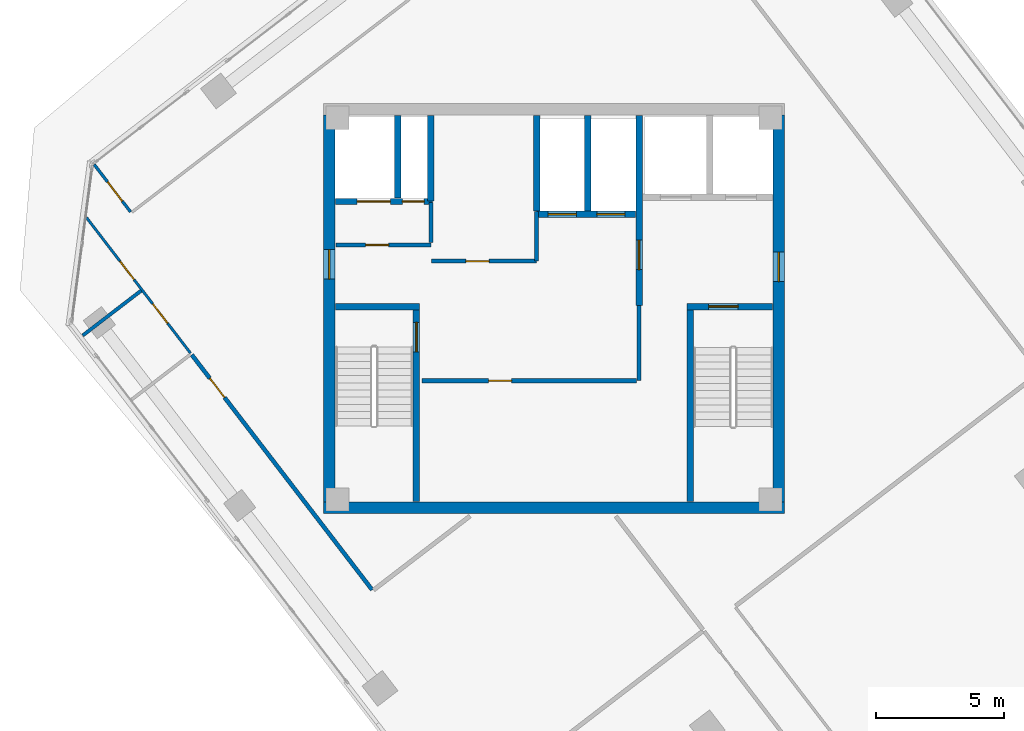
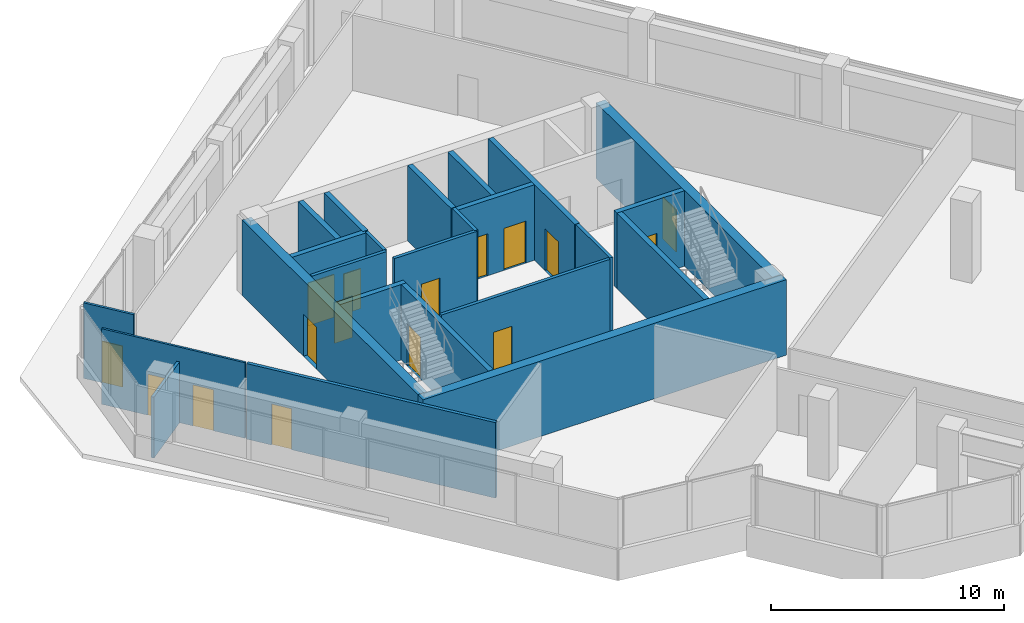
# One storey, part 13 of 17: 24 walls, 16 doors, 16 openings.
"""IFC4 building model written with IfcOpenShell, lengths in metres."""

from ifc_helpers import new_model, si_unit, direction, frame, frame_2d, origin, place, context, subcontext, project, spatial, rectangle, extrude, source, transform, mapped, material, layer, layer_set, type_object, element, fill, save


model = new_model("IFC4")

# Units and contexts
model_context = context("Model", 3, precision=1e-05, world=origin(), true_north=direction((0.0, 1.0)))
body_context = subcontext(model_context, "Body", "Model", "MODEL_VIEW")
ifc_project = project(units=[si_unit("LENGTHUNIT", "METRE"), si_unit("AREAUNIT", "SQUARE_METRE"), si_unit("VOLUMEUNIT", "CUBIC_METRE"), si_unit("PLANEANGLEUNIT", "RADIAN"), si_unit("MASSUNIT", "GRAM", prefix="KILO")], contexts=[model_context])

# Site, building, storey
site_placement = place(None, origin())
site = spatial("IfcSite", under=ifc_project, at=site_placement, CompositionType="ELEMENT")
building_placement = place(site_placement, origin())
building = spatial("IfcBuilding", under=site, at=building_placement, Name="Torre Montelarca", CompositionType="ELEMENT")
storey_placement = place(building_placement, frame((0.0, 0.0, 279.39990234375)))
storey = spatial("IfcBuildingStorey", under=building, at=storey_placement, Name="L63", CompositionType="ELEMENT", Elevation=279.39990234375)

# Wall, opening, door
ifc_material_1 = material(Name="Concrete C40/50", Category="concrete")
ifc_layer_1 = layer(ifc_material_1, 0.25, Name="Concrete C40/50", Category="concrete")
ifc_layer_set_1 = layer_set([ifc_layer_1], Name="Concrete C40/50")
wall_type_1 = type_object("IfcWallType", Name="CW-SHAFT-250", PredefinedType="SHEAR", material=ifc_layer_set_1)
wall_1_placement = place(storey_placement, frame((12.625, 24.4599609375, 0.0), z_axis=(0.0, 0.0, 1.0), x_axis=(0.0, 1.0, 0.0)))
wall_1 = element("IfcWall", 1, at=wall_1_placement, inside=storey, type_object=wall_type_1, Name="L63 Core Shear Wall SH-ST1-E", PredefinedType="SHEAR", context=body_context, shape_type="SweptSolid", body=[
    extrude(rectangle(XDim=7.489990234375, YDim=0.25, at=frame_2d((3.7451171875, 0.0))), origin(), (0.0, 0.0, 1.0), 3.960205078125),
])
opening_1_placement = place(wall_1_placement, frame((5.85009765625, 0.0, 0.0)))
opening_1 = element("IfcOpeningElement", 2, at=opening_1_placement, cuts=wall_1, Name="Opening FD-ST1", PredefinedType="OPENING", context=body_context, shape_type="SweptSolid", body=[
    extrude(rectangle(XDim=1.14990234375, YDim=2.199951171875, at=frame_2d((0.574951171875, 1.10009765625))), frame((0.0, 0.135009765625, 0.0), z_axis=(0.0, -1.0, 0.0), x_axis=(1.0, 0.0, 0.0)), (0.0, 0.0, 1.0), 0.27001953125),
])
ifc_material_2 = material(Name="Galvanized steel fire door", Category="steel")
door_type_1 = type_object("IfcDoorType", Name="DR-STAIR-115", OperationType="NOTDEFINED", PredefinedType="DOOR", material=ifc_material_2)
shared_shape_1 = source(origin(), body_context, "Body", "SweptSolid", [
    extrude(rectangle(XDim=1.14990234375, YDim=2.199951171875, at=frame_2d((0.574951171875, 1.10009765625))), frame((0.0, 0.02490234375, 0.0), z_axis=(0.0, -1.0, 0.0), x_axis=(1.0, 0.0, 0.0)), (0.0, 0.0, 1.0), 0.050048828125),
])
door_1_placement = place(opening_1_placement, origin())
door_1 = element("IfcDoor", 3, at=door_1_placement, inside=storey, type_object=door_type_1, Name="L63 Exit Stair ST1 Fire Door", OperationType="SINGLE_SWING_RIGHT", OverallHeight=2.199951171875, OverallWidth=1.14990234375, PredefinedType="DOOR", context=body_context, shape_type="MappedRepresentation", body=[
    mapped(shared_shape_1, transform((0.0, 0.0, 0.0), scale=1.0)),
])
fill(opening_1, door_1)

# Walls
wall_2_placement = place(storey_placement, frame((9.4599609375, 32.074951171875, 0.0), z_axis=(0.0, 0.0, 1.0), x_axis=(1.0, 0.0, 0.0)))
element("IfcWall", 4, at=wall_2_placement, inside=storey, type_object=wall_type_1, Name="L63 Core Shear Wall SH-ST1-N", PredefinedType="SHEAR", context=body_context, shape_type="SweptSolid", body=[
    extrude(rectangle(XDim=3.2900390625, YDim=0.25, at=frame_2d((1.64501953125, 0.0))), origin(), (0.0, 0.0, 1.0), 3.960205078125),
])
wall_3_placement = place(storey_placement, frame((23.31494140625, 24.4599609375, 0.0), z_axis=(0.0, 0.0, 1.0), x_axis=(0.0, 1.0, 0.0)))
element("IfcWall", 5, at=wall_3_placement, inside=storey, type_object=wall_type_1, Name="L63 Core Shear Wall SH-ST2-W", PredefinedType="SHEAR", context=body_context, shape_type="SweptSolid", body=[
    extrude(rectangle(XDim=7.489990234375, YDim=0.25, at=frame_2d((3.7451171875, 0.0))), origin(), (0.0, 0.0, 1.0), 3.960205078125),
])

# Wall, opening, door
wall_4_placement = place(storey_placement, frame((23.18994140625, 32.074951171875, 0.0), z_axis=(0.0, 0.0, 1.0), x_axis=(1.0, 0.0, 0.0)))
wall_4 = element("IfcWall", 6, at=wall_4_placement, inside=storey, type_object=wall_type_1, Name="L63 Core Shear Wall SH-ST2-N", PredefinedType="SHEAR", context=body_context, shape_type="SweptSolid", body=[
    extrude(rectangle(XDim=3.35009765625, YDim=0.25, at=frame_2d((1.675048828125, 0.0))), origin(), (0.0, 0.0, 1.0), 3.960205078125),
])
opening_2_placement = place(wall_4_placement, frame((0.85009765625, 0.0, 0.0)))
opening_2 = element("IfcOpeningElement", 7, at=opening_2_placement, cuts=wall_4, Name="Opening FD-ST1", PredefinedType="OPENING", context=body_context, shape_type="SweptSolid", body=[
    extrude(rectangle(XDim=1.14990234375, YDim=2.199951171875, at=frame_2d((0.574951171875, 1.10009765625))), frame((0.0, 0.135009765625, 0.0), z_axis=(0.0, -1.0, 0.0), x_axis=(1.0, 0.0, 0.0)), (0.0, 0.0, 1.0), 0.27001953125),
])
door_2_placement = place(opening_2_placement, origin())
door_2 = element("IfcDoor", 8, at=door_2_placement, inside=storey, type_object=door_type_1, Name="L63 Exit Stair ST2 Fire Door", OperationType="SINGLE_SWING_RIGHT", OverallHeight=2.199951171875, OverallWidth=1.14990234375, PredefinedType="DOOR", context=body_context, shape_type="MappedRepresentation", body=[
    mapped(shared_shape_1, transform((0.0, 0.0, 0.0), scale=1.0)),
])
fill(opening_2, door_2)

wall_5_placement = place(storey_placement, frame((21.320068359375, 32.1201171875, 0.0), z_axis=(0.0, 0.0, 1.0), x_axis=(0.0, 1.0, 0.0)))
wall_5 = element("IfcWall", 9, at=wall_5_placement, inside=storey, type_object=wall_type_1, Name="L63 Core Shear Wall SH-FFL-W", PredefinedType="SHEAR", context=body_context, shape_type="SweptSolid", body=[
    extrude(rectangle(XDim=7.419921875, YDim=0.25, at=frame_2d((3.7099609375, 0.0))), origin(), (0.0, 0.0, 1.0), 3.960205078125),
])
opening_3_placement = place(wall_5_placement, frame((1.39990234375, 0.0, 0.0)))
opening_3 = element("IfcOpeningElement", 10, at=opening_3_placement, cuts=wall_5, Name="Opening FD-LB1", PredefinedType="OPENING", context=body_context, shape_type="SweptSolid", body=[
    extrude(rectangle(XDim=1.14990234375, YDim=2.199951171875, at=frame_2d((0.574951171875, 1.10009765625))), frame((0.0, 0.135009765625, 0.0), z_axis=(0.0, -1.0, 0.0), x_axis=(1.0, 0.0, 0.0)), (0.0, 0.0, 1.0), 0.27001953125),
])
ifc_material_3 = material(Name="Acoustic timber-veneered fire door", Category="wood")
door_type_2 = type_object("IfcDoorType", Name="DR-LOBBY-115", OperationType="NOTDEFINED", PredefinedType="DOOR", material=ifc_material_3)
shared_shape_2 = source(origin(), body_context, "Body", "SweptSolid", [
    extrude(rectangle(XDim=1.14990234375, YDim=2.199951171875, at=frame_2d((0.574951171875, 1.10009765625))), frame((0.0, 0.02490234375, 0.0), z_axis=(0.0, -1.0, 0.0), x_axis=(1.0, 0.0, 0.0)), (0.0, 0.0, 1.0), 0.050048828125),
])
door_3_placement = place(opening_3_placement, origin())
door_3 = element("IfcDoor", 11, at=door_3_placement, inside=storey, type_object=door_type_2, Name="L63 Lift Lobby to Firefighting Lobby Smoke Door", OperationType="SINGLE_SWING_LEFT", OverallHeight=2.199951171875, OverallWidth=1.14990234375, PredefinedType="DOOR", context=body_context, shape_type="MappedRepresentation", body=[
    mapped(shared_shape_2, transform((0.0, 0.0, 0.0), scale=1.0)),
])
fill(opening_3, door_3)

# Wall, openings, doors
wall_6_placement = place(storey_placement, frame((9.4599609375, 36.179931640625, 0.0), z_axis=(0.0, 0.0, 1.0), x_axis=(1.0, 0.0, 0.0)))
wall_6 = element("IfcWall", 12, at=wall_6_placement, inside=storey, type_object=wall_type_1, Name="L63 Core Shear Wall SH-SV1-S", PredefinedType="SHEAR", context=body_context, shape_type="SweptSolid", body=[
    extrude(rectangle(XDim=3.7900390625, YDim=0.25, at=frame_2d((1.89501953125, 0.0))), origin(), (0.0, 0.0, 1.0), 3.960205078125),
])
opening_4_placement = place(wall_6_placement, frame((2.6201171875, 0.0, 0.0)))
opening_4 = element("IfcOpeningElement", 13, at=opening_4_placement, cuts=wall_6, Name="Opening FD-085", PredefinedType="OPENING", context=body_context, shape_type="SweptSolid", body=[
    extrude(rectangle(XDim=0.85009765625, YDim=2.10009765625, at=frame_2d((0.425048828125, 1.050048828125))), frame((0.0, 0.135009765625, 0.0), z_axis=(0.0, -1.0, 0.0), x_axis=(1.0, 0.0, 0.0)), (0.0, 0.0, 1.0), 0.27001953125),
])
opening_5_placement = place(wall_6_placement, frame((0.85009765625, 0.0, 0.0)))
opening_5 = element("IfcOpeningElement", 14, at=opening_5_placement, cuts=wall_6, Name="Opening LD-130", PredefinedType="OPENING", context=body_context, shape_type="SweptSolid", body=[
    extrude(rectangle(XDim=1.300048828125, YDim=2.25, at=frame_2d((0.64990234375, 1.125))), frame((0.0, 0.135009765625, 0.0), z_axis=(0.0, -1.0, 0.0), x_axis=(1.0, 0.0, 0.0)), (0.0, 0.0, 1.0), 0.27001953125),
])
ifc_material_4 = material(Name="Steel riser access fire door", Category="steel")
door_type_3 = type_object("IfcDoorType", Name="DR-RISER-085", OperationType="NOTDEFINED", PredefinedType="DOOR", material=ifc_material_4)
shared_shape_3 = source(origin(), body_context, "Body", "SweptSolid", [
    extrude(rectangle(XDim=0.85009765625, YDim=2.10009765625, at=frame_2d((0.425048828125, 1.050048828125))), frame((0.0, 0.02490234375, 0.0), z_axis=(0.0, -1.0, 0.0), x_axis=(1.0, 0.0, 0.0)), (0.0, 0.0, 1.0), 0.050048828125),
])
door_4_placement = place(opening_4_placement, origin())
door_4 = element("IfcDoor", 15, at=door_4_placement, inside=storey, type_object=door_type_3, Name="L63 Electrical Riser Shaft Access Door", OperationType="SINGLE_SWING_RIGHT", OverallHeight=2.10009765625, OverallWidth=0.85009765625, PredefinedType="DOOR", context=body_context, shape_type="MappedRepresentation", body=[
    mapped(shared_shape_3, transform((0.0, 0.0, 0.0), scale=1.0)),
])
fill(opening_4, door_4)
ifc_material_5 = material(Name="Brushed stainless steel AISI 316", Category="steel")
door_type_4 = type_object("IfcDoorType", Name="DR-LIFT-130", OperationType="SLIDING_TO_LEFT", PredefinedType="DOOR", material=ifc_material_5)
shared_shape_4 = source(origin(), body_context, "Body", "SweptSolid", [
    extrude(rectangle(XDim=1.300048828125, YDim=2.25, at=frame_2d((0.64990234375, 1.125))), frame((0.0, 0.02490234375, 0.0), z_axis=(0.0, -1.0, 0.0), x_axis=(1.0, 0.0, 0.0)), (0.0, 0.0, 1.0), 0.050048828125),
])
door_5_placement = place(opening_5_placement, origin())
door_5 = element("IfcDoor", 16, at=door_5_placement, inside=storey, type_object=door_type_4, Name="L63 Lift Landing Sliding Door SV-1", OperationType="SLIDING_TO_LEFT", OverallHeight=2.25, OverallWidth=1.300048828125, PredefinedType="DOOR", context=body_context, shape_type="MappedRepresentation", body=[
    mapped(shared_shape_4, transform((0.0, 0.0, 0.0), scale=1.0)),
])
fill(opening_5, door_5)

# Walls
wall_7_placement = place(storey_placement, frame((11.89990234375, 36.31005859375, 0.0), z_axis=(0.0, 0.0, 1.0), x_axis=(0.0, 1.0, 0.0)))
element("IfcWall", 17, at=wall_7_placement, inside=storey, type_object=wall_type_1, Name="L63 Core Shear Wall SH-SV1-E", PredefinedType="SHEAR", context=body_context, shape_type="SweptSolid", body=[
    extrude(rectangle(XDim=3.22998046875, YDim=0.25, at=frame_2d((1.614990234375, 0.0))), origin(), (0.0, 0.0, 1.0), 3.960205078125),
])
wall_8_placement = place(storey_placement, frame((13.179931640625, 36.199951171875, 0.0), z_axis=(0.0, 0.0, 1.0), x_axis=(0.0, 1.0, 0.0)))
element("IfcWall", 18, at=wall_8_placement, inside=storey, type_object=wall_type_1, Name="L63 Core Shear Wall SH-RSR1-E", PredefinedType="SHEAR", context=body_context, shape_type="SweptSolid", body=[
    extrude(rectangle(XDim=3.340087890625, YDim=0.25, at=frame_2d((1.669921875, 0.0))), origin(), (0.0, 0.0, 1.0), 3.960205078125),
])

# Wall, openings, doors
wall_9_placement = place(storey_placement, frame((17.320068359375, 35.679931640625, 0.0), z_axis=(0.0, 0.0, 1.0), x_axis=(1.0, 0.0, 0.0)))
wall_9 = element("IfcWall", 19, at=wall_9_placement, inside=storey, type_object=wall_type_1, Name="L63 Core Shear Wall SH-PLH-S", PredefinedType="SHEAR", context=body_context, shape_type="SweptSolid", body=[
    extrude(rectangle(XDim=3.869873046875, YDim=0.25, at=frame_2d((1.93505859375, 0.0))), origin(), (0.0, 0.0, 1.0), 3.960205078125),
])
opening_6_placement = place(wall_9_placement, frame((0.449951171875, 0.0, 0.0)))
opening_6 = element("IfcOpeningElement", 20, at=opening_6_placement, cuts=wall_9, Name="Opening LD-110", PredefinedType="OPENING", context=body_context, shape_type="SweptSolid", body=[
    extrude(rectangle(XDim=1.10009765625, YDim=2.199951171875, at=frame_2d((0.550048828125, 1.10009765625))), frame((0.0, 0.135009765625, 0.0), z_axis=(0.0, -1.0, 0.0), x_axis=(1.0, 0.0, 0.0)), (0.0, 0.0, 1.0), 0.27001953125),
])
opening_7_placement = place(wall_9_placement, frame((2.35009765625, 0.0, 0.0)))
opening_7 = element("IfcOpeningElement", 21, at=opening_7_placement, cuts=wall_9, Name="Opening LD-110", PredefinedType="OPENING", context=body_context, shape_type="SweptSolid", body=[
    extrude(rectangle(XDim=1.10009765625, YDim=2.199951171875, at=frame_2d((0.550048828125, 1.10009765625))), frame((0.0, 0.135009765625, 0.0), z_axis=(0.0, -1.0, 0.0), x_axis=(1.0, 0.0, 0.0)), (0.0, 0.0, 1.0), 0.27001953125),
])
door_type_5 = type_object("IfcDoorType", Name="DR-LIFT-110", OperationType="SLIDING_TO_LEFT", PredefinedType="DOOR", material=ifc_material_5)
shared_shape_5 = source(origin(), body_context, "Body", "SweptSolid", [
    extrude(rectangle(XDim=1.10009765625, YDim=2.199951171875, at=frame_2d((0.550048828125, 1.10009765625))), frame((0.0, 0.02490234375, 0.0), z_axis=(0.0, -1.0, 0.0), x_axis=(1.0, 0.0, 0.0)), (0.0, 0.0, 1.0), 0.050048828125),
])
door_6_placement = place(opening_6_placement, origin())
door_6 = element("IfcDoor", 22, at=door_6_placement, inside=storey, type_object=door_type_5, Name="L63 Lift Landing Sliding Door PL-H1", OperationType="SLIDING_TO_LEFT", OverallHeight=2.199951171875, OverallWidth=1.10009765625, PredefinedType="DOOR", context=body_context, shape_type="MappedRepresentation", body=[
    mapped(shared_shape_5, transform((0.0, 0.0, 0.0), scale=1.0)),
])
fill(opening_6, door_6)
door_7_placement = place(opening_7_placement, origin())
door_7 = element("IfcDoor", 23, at=door_7_placement, inside=storey, type_object=door_type_5, Name="L63 Lift Landing Sliding Door PL-H2", OperationType="SLIDING_TO_RIGHT", OverallHeight=2.199951171875, OverallWidth=1.10009765625, PredefinedType="DOOR", context=body_context, shape_type="MappedRepresentation", body=[
    mapped(shared_shape_5, transform((0.0, 0.0, 0.0), scale=1.0)),
])
fill(opening_7, door_7)

# Walls
for number, where, z_axis, x_axis, name in (
    (24, (17.320068359375, 35.81005859375, 0.0), (0.0, 0.0, 1.0), (0.0, 1.0, 0.0), "L63 Core Shear Wall SH-PLH-W"),
    (25, (19.320068359375, 35.81005859375, 0.0), (0.0, 0.0, 1.0), (0.0, 1.0, 0.0), "L63 Core Shear Wall SH-PLH-M"),
):
    element("IfcWall", number, at=place(storey_placement, frame(where, z_axis=z_axis, x_axis=x_axis)), inside=storey, type_object=wall_type_1, Name=name, PredefinedType="SHEAR", context=body_context, shape_type="SweptSolid", body=[
        extrude(rectangle(XDim=3.72998046875, YDim=0.25, at=frame_2d((1.864990234375, 0.0))), origin(), (0.0, 0.0, 1.0), 3.960205078125),
    ])

# Wall, opening, door
ifc_material_6 = material(Name="Concrete C55/67", Category="concrete")
ifc_layer_2 = layer(ifc_material_6, 0.449951171875, Name="Concrete C55/67", Category="concrete")
ifc_layer_set_2 = layer_set([ifc_layer_2], Name="Concrete C55/67")
wall_type_2 = type_object("IfcWallType", Name="CW-SHEAR-450", PredefinedType="SHEAR", material=ifc_layer_set_2)
wall_10_placement = place(storey_placement, frame((9.22509765625, 24.449951171875, 0.0), z_axis=(0.0, 0.0, 1.0), x_axis=(0.0, 1.0, 0.0)))
wall_10 = element("IfcWall", 26, at=wall_10_placement, inside=storey, type_object=wall_type_2, Name="L63 Core Shear Wall CW-W", PredefinedType="SHEAR", context=body_context, shape_type="SweptSolid", body=[
    extrude(rectangle(XDim=15.10009765625, YDim=0.449951171875, at=frame_2d((7.550048828125, 0.0))), origin(), (0.0, 0.0, 1.0), 3.960205078125),
])
opening_8_placement = place(wall_10_placement, frame((8.699951171875, 0.0, 0.0)))
opening_8 = element("IfcOpeningElement", 27, at=opening_8_placement, cuts=wall_10, Name="Opening FD-LB1", PredefinedType="OPENING", context=body_context, shape_type="SweptSolid", body=[
    extrude(rectangle(XDim=1.14990234375, YDim=2.199951171875, at=frame_2d((0.574951171875, 1.10009765625))), frame((0.0, 0.23486328125, 0.0), z_axis=(0.0, -1.0, 0.0), x_axis=(1.0, 0.0, 0.0)), (0.0, 0.0, 1.0), 0.469970703125),
])
door_8_placement = place(opening_8_placement, origin())
door_8 = element("IfcDoor", 28, at=door_8_placement, inside=storey, type_object=door_type_2, Name="L63 Passenger Lift Lobby West Corridor Fire Door", OperationType="SINGLE_SWING_RIGHT", OverallHeight=2.199951171875, OverallWidth=1.14990234375, PredefinedType="DOOR", context=body_context, shape_type="MappedRepresentation", body=[
    mapped(shared_shape_2, transform((0.0, 0.0, 0.0), scale=1.0)),
])
fill(opening_8, door_8)

wall_11_placement = place(storey_placement, frame((26.77490234375, 24.449951171875, 0.0), z_axis=(0.0, 0.0, 1.0), x_axis=(0.0, 1.0, 0.0)))
wall_11 = element("IfcWall", 29, at=wall_11_placement, inside=storey, type_object=wall_type_2, Name="L63 Core Shear Wall CW-E", PredefinedType="SHEAR", context=body_context, shape_type="SweptSolid", body=[
    extrude(rectangle(XDim=15.10009765625, YDim=0.449951171875, at=frame_2d((7.550048828125, 0.0))), origin(), (0.0, 0.0, 1.0), 3.960205078125),
])
opening_9_placement = place(wall_11_placement, frame((8.60009765625, 0.0, 0.0)))
opening_9 = element("IfcOpeningElement", 30, at=opening_9_placement, cuts=wall_11, Name="Opening FD-LB1", PredefinedType="OPENING", context=body_context, shape_type="SweptSolid", body=[
    extrude(rectangle(XDim=1.14990234375, YDim=2.199951171875, at=frame_2d((0.574951171875, 1.10009765625))), frame((0.0, 0.23486328125, 0.0), z_axis=(0.0, -1.0, 0.0), x_axis=(1.0, 0.0, 0.0)), (0.0, 0.0, 1.0), 0.469970703125),
])
door_9_placement = place(opening_9_placement, origin())
door_9 = element("IfcDoor", 31, at=door_9_placement, inside=storey, type_object=door_type_2, Name="L63 Firefighting Lift Lobby Corridor Fire Door", OperationType="SINGLE_SWING_RIGHT", OverallHeight=2.199951171875, OverallWidth=1.14990234375, PredefinedType="DOOR", context=body_context, shape_type="MappedRepresentation", body=[
    mapped(shared_shape_2, transform((0.0, 0.0, 0.0), scale=1.0)),
])
fill(opening_9, door_9)

# Wall
wall_12_placement = place(storey_placement, frame((9.0, 24.22509765625, 0.0), z_axis=(0.0, 0.0, 1.0), x_axis=(1.0, 0.0, 0.0)))
element("IfcWall", 32, at=wall_12_placement, inside=storey, type_object=wall_type_2, Name="L63 Core Shear Wall CW-S1", PredefinedType="SHEAR", context=body_context, shape_type="SweptSolid", body=[
    extrude(rectangle(XDim=18.0, YDim=0.449951171875, at=frame_2d((9.0, 0.0))), origin(), (0.0, 0.0, 1.0), 3.960205078125),
])

# Wall, opening, door
ifc_material_7 = material(Name="Gypsum plasterboard on steel stud", Category="steel")
ifc_layer_3 = layer(ifc_material_7, 0.159912109375, Name="Gypsum plasterboard on steel stud", Category="steel")
ifc_layer_set_3 = layer_set([ifc_layer_3], Name="Gypsum plasterboard on steel stud")
wall_type_3 = type_object("IfcWallType", Name="PW-FIRE-160", PredefinedType="PARTITIONING", material=ifc_layer_set_3)
wall_13_placement = place(storey_placement, frame((9.489990234375, 34.47998046875, 0.0), z_axis=(0.0, 0.0, 1.0), x_axis=(1.0, 0.0, 0.0)))
wall_13 = element("IfcWall", 33, at=wall_13_placement, inside=storey, type_object=wall_type_3, Name="L63 Interior Partition CW-L63-SVS", PredefinedType="PARTITIONING", context=body_context, shape_type="SweptSolid", body=[
    extrude(rectangle(XDim=3.699951171875, YDim=0.159912109375, at=frame_2d((1.85009765625, 0.0))), origin(), (0.0, 0.0, 1.0), 3.960205078125),
])
opening_10_placement = place(wall_13_placement, frame((1.14990234375, 0.0, 0.0)))
opening_10 = element("IfcOpeningElement", 34, at=opening_10_placement, cuts=wall_13, Name="Opening FD-090", PredefinedType="OPENING", context=body_context, shape_type="SweptSolid", body=[
    extrude(rectangle(XDim=0.89990234375, YDim=2.14990234375, at=frame_2d((0.449951171875, 1.074951171875))), frame((0.0, 0.08984375, 0.0), z_axis=(0.0, -1.0, 0.0), x_axis=(1.0, 0.0, 0.0)), (0.0, 0.0, 1.0), 0.179931640625),
])
ifc_material_8 = material(Name="Steel service fire door", Category="steel")
door_type_6 = type_object("IfcDoorType", Name="DR-FIRE-090", OperationType="NOTDEFINED", PredefinedType="DOOR", material=ifc_material_8)
shared_shape_6 = source(origin(), body_context, "Body", "SweptSolid", [
    extrude(rectangle(XDim=0.89990234375, YDim=2.14990234375, at=frame_2d((0.449951171875, 1.074951171875))), frame((0.0, 0.02490234375, 0.0), z_axis=(0.0, -1.0, 0.0), x_axis=(1.0, 0.0, 0.0)), (0.0, 0.0, 1.0), 0.050048828125),
])
door_10_placement = place(opening_10_placement, origin())
door_10 = element("IfcDoor", 35, at=door_10_placement, inside=storey, type_object=door_type_6, Name="L63 Interior Door 01", OperationType="SINGLE_SWING_RIGHT", OverallHeight=2.14990234375, OverallWidth=0.89990234375, PredefinedType="DOOR", context=body_context, shape_type="MappedRepresentation", body=[
    mapped(shared_shape_6, transform((0.0, 0.0, 0.0), scale=1.0)),
])
fill(opening_10, door_10)

# Wall
wall_14_placement = place(storey_placement, frame((13.199951171875, 34.570068359375, 0.0), z_axis=(0.0, 0.0, 1.0), x_axis=(0.0, 1.0, 0.0)))
element("IfcWall", 36, at=wall_14_placement, inside=storey, type_object=wall_type_3, Name="L63 Interior Partition CW-L63-SVE", PredefinedType="PARTITIONING", context=body_context, shape_type="SweptSolid", body=[
    extrude(rectangle(XDim=1.56982421875, YDim=0.159912109375, at=frame_2d((0.784912109375, 0.0))), origin(), (0.0, 0.0, 1.0), 3.960205078125),
])

# Wall, opening, door
wall_15_placement = place(storey_placement, frame((13.2099609375, 33.85009765625, 0.0), z_axis=(0.0, 0.0, 1.0), x_axis=(1.0, 0.0, 0.0)))
wall_15 = element("IfcWall", 37, at=wall_15_placement, inside=storey, type_object=wall_type_3, Name="L63 Interior Partition CW-L63-FRMS", PredefinedType="PARTITIONING", context=body_context, shape_type="SweptSolid", body=[
    extrude(rectangle(XDim=4.10009765625, YDim=0.159912109375, at=frame_2d((2.050048828125, 0.0))), origin(), (0.0, 0.0, 1.0), 3.960205078125),
])
opening_11_placement = place(wall_15_placement, frame((1.35009765625, 0.0, 0.0)))
opening_11 = element("IfcOpeningElement", 38, at=opening_11_placement, cuts=wall_15, Name="Opening FD-090", PredefinedType="OPENING", context=body_context, shape_type="SweptSolid", body=[
    extrude(rectangle(XDim=0.89990234375, YDim=2.14990234375, at=frame_2d((0.449951171875, 1.074951171875))), frame((0.0, 0.08984375, 0.0), z_axis=(0.0, -1.0, 0.0), x_axis=(1.0, 0.0, 0.0)), (0.0, 0.0, 1.0), 0.179931640625),
])
door_11_placement = place(opening_11_placement, origin())
door_11 = element("IfcDoor", 39, at=door_11_placement, inside=storey, type_object=door_type_6, Name="L63 Interior Door 02", OperationType="SINGLE_SWING_LEFT", OverallHeight=2.14990234375, OverallWidth=0.89990234375, PredefinedType="DOOR", context=body_context, shape_type="MappedRepresentation", body=[
    mapped(shared_shape_6, transform((0.0, 0.0, 0.0), scale=1.0)),
])
fill(opening_11, door_11)

# Wall
wall_16_placement = place(storey_placement, frame((17.320068359375, 33.860107421875, 0.0), z_axis=(0.0, 0.0, 1.0), x_axis=(0.0, 1.0, 0.0)))
element("IfcWall", 40, at=wall_16_placement, inside=storey, type_object=wall_type_3, Name="L63 Interior Partition CW-L63-FRME", PredefinedType="PARTITIONING", context=body_context, shape_type="SweptSolid", body=[
    extrude(rectangle(XDim=1.929931640625, YDim=0.159912109375, at=frame_2d((0.96484375, 0.0))), origin(), (0.0, 0.0, 1.0), 3.960205078125),
])

# Wall, opening, door
wall_17_placement = place(storey_placement, frame((12.840087890625, 29.179931640625, 0.0), z_axis=(0.0, 0.0, 1.0), x_axis=(1.0, 0.0, 0.0)))
wall_17 = element("IfcWall", 41, at=wall_17_placement, inside=storey, type_object=wall_type_3, Name="L63 Interior Partition CW-L63-FRDN", PredefinedType="PARTITIONING", context=body_context, shape_type="SweptSolid", body=[
    extrude(rectangle(XDim=8.369873046875, YDim=0.159912109375, at=frame_2d((4.18505859375, 0.0))), origin(), (0.0, 0.0, 1.0), 3.960205078125),
])
opening_12_placement = place(wall_17_placement, frame((2.60009765625, 0.0, 0.0)))
opening_12 = element("IfcOpeningElement", 42, at=opening_12_placement, cuts=wall_17, Name="Opening FD-090", PredefinedType="OPENING", context=body_context, shape_type="SweptSolid", body=[
    extrude(rectangle(XDim=0.89990234375, YDim=2.14990234375, at=frame_2d((0.449951171875, 1.074951171875))), frame((0.0, 0.08984375, 0.0), z_axis=(0.0, -1.0, 0.0), x_axis=(1.0, 0.0, 0.0)), (0.0, 0.0, 1.0), 0.179931640625),
])
door_12_placement = place(opening_12_placement, origin())
door_12 = element("IfcDoor", 43, at=door_12_placement, inside=storey, type_object=door_type_6, Name="L63 Interior Door 03", OperationType="SINGLE_SWING_LEFT", OverallHeight=2.14990234375, OverallWidth=0.89990234375, PredefinedType="DOOR", context=body_context, shape_type="MappedRepresentation", body=[
    mapped(shared_shape_6, transform((0.0, 0.0, 0.0), scale=1.0)),
])
fill(opening_12, door_12)

# Wall
wall_18_placement = place(storey_placement, frame((21.320068359375, 29.18994140625, 0.0), z_axis=(0.0, 0.0, 1.0), x_axis=(0.0, 1.0, 0.0)))
element("IfcWall", 44, at=wall_18_placement, inside=storey, type_object=wall_type_3, Name="L63 Interior Partition CW-L63-FRE", PredefinedType="PARTITIONING", context=body_context, shape_type="SweptSolid", body=[
    extrude(rectangle(XDim=2.920166015625, YDim=0.159912109375, at=frame_2d((1.4599609375, 0.0))), origin(), (0.0, 0.0, 1.0), 3.960205078125),
])

# Wall, opening, door
wall_19_placement = place(storey_placement, frame((3.852783203125, 30.19384765625, 0.0), z_axis=(0.0, 0.0, 1.0), x_axis=(0.608748677634, -0.793363124603, 0.0)))
wall_19 = element("IfcWall", 45, at=wall_19_placement, inside=storey, type_object=wall_type_3, Name="L63 Interior Partition W-L63-SOCCN", PredefinedType="PARTITIONING", context=body_context, shape_type="SweptSolid", body=[
    extrude(rectangle(XDim=11.570068359375, YDim=0.159912109375, at=frame_2d((5.78515625, 0.0))), origin(), (0.0, 0.0, 1.0), 3.960205078125),
])
opening_13_placement = place(wall_19_placement, frame((1.14990234375, 0.0, 0.0)))
opening_13 = element("IfcOpeningElement", 46, at=opening_13_placement, cuts=wall_19, Name="Opening FD-095", PredefinedType="OPENING", context=body_context, shape_type="SweptSolid", body=[
    extrude(rectangle(XDim=0.949951171875, YDim=2.14990234375, at=frame_2d((0.47509765625, 1.074951171875))), frame((0.0, 0.08984375, 0.0), z_axis=(0.0, -1.0, 0.0), x_axis=(1.0, 0.0, 0.0)), (0.0, 0.0, 1.0), 0.179931640625),
])
ifc_material_9 = material(Name="Timber fire-rated room door", Category="wood")
door_type_7 = type_object("IfcDoorType", Name="DR-FIRE-095", OperationType="NOTDEFINED", PredefinedType="DOOR", material=ifc_material_9)
shared_shape_7 = source(origin(), body_context, "Body", "SweptSolid", [
    extrude(rectangle(XDim=0.949951171875, YDim=2.14990234375, at=frame_2d((0.47509765625, 1.074951171875))), frame((0.0, 0.02490234375, 0.0), z_axis=(0.0, -1.0, 0.0), x_axis=(1.0, 0.0, 0.0)), (0.0, 0.0, 1.0), 0.050048828125),
])
door_13_placement = place(opening_13_placement, origin())
door_13 = element("IfcDoor", 47, at=door_13_placement, inside=storey, type_object=door_type_7, Name="L63 Interior Door 06", OperationType="SINGLE_SWING_RIGHT", OverallHeight=2.14990234375, OverallWidth=0.949951171875, PredefinedType="DOOR", context=body_context, shape_type="MappedRepresentation", body=[
    mapped(shared_shape_7, transform((0.0, 0.0, 0.0), scale=1.0)),
])
fill(opening_13, door_13)

# Wall, openings, doors
ifc_material_10 = material(Name="Acoustic laminated glass partition", Category="glass")
ifc_layer_4 = layer(ifc_material_10, 0.10009765625, Name="Acoustic laminated glass partition", Category="glass")
ifc_layer_set_4 = layer_set([ifc_layer_4], Name="Acoustic laminated glass partition")
wall_type_4 = type_object("IfcWallType", Name="PW-GLAZ-100", PredefinedType="PARTITIONING", material=ifc_layer_set_4)
wall_20_placement = place(storey_placement, frame((-0.257568359375, 35.550537109375, 0.0), z_axis=(0.0, 0.0, 1.0), x_axis=(0.608751837986, -0.79336069965, 0.0)))
wall_20 = element("IfcWall", 48, at=wall_20_placement, inside=storey, type_object=wall_type_4, Name="L63 Interior Partition W-L63-WCN", PredefinedType="PARTITIONING", context=body_context, shape_type="SweptSolid", body=[
    extrude(rectangle(XDim=6.671875, YDim=0.10009765625, at=frame_2d((3.3359375, 0.0))), origin(), (0.0, 0.0, 1.0), 3.960205078125),
])
opening_14_placement = place(wall_20_placement, frame((2.14990234375, 0.0, 0.0)))
opening_14 = element("IfcOpeningElement", 49, at=opening_14_placement, cuts=wall_20, Name="Opening ID-090", PredefinedType="OPENING", context=body_context, shape_type="SweptSolid", body=[
    extrude(rectangle(XDim=0.89990234375, YDim=2.14990234375, at=frame_2d((0.449951171875, 1.074951171875))), frame((0.0, 0.06005859375, 0.0), z_axis=(0.0, -1.0, 0.0), x_axis=(1.0, 0.0, 0.0)), (0.0, 0.0, 1.0), 0.1201171875),
])
opening_15_placement = place(wall_20_placement, frame((4.25, 0.0, 0.0)))
opening_15 = element("IfcOpeningElement", 50, at=opening_15_placement, cuts=wall_20, Name="Opening ID-095", PredefinedType="OPENING", context=body_context, shape_type="SweptSolid", body=[
    extrude(rectangle(XDim=0.949951171875, YDim=2.14990234375, at=frame_2d((0.47509765625, 1.074951171875))), frame((0.0, 0.06005859375, 0.0), z_axis=(0.0, -1.0, 0.0), x_axis=(1.0, 0.0, 0.0)), (0.0, 0.0, 1.0), 0.1201171875),
])
ifc_material_11 = material(Name="Hardwood acoustic timber veneer", Category="wood")
door_type_8 = type_object("IfcDoorType", Name="DR-INT-090", OperationType="NOTDEFINED", PredefinedType="DOOR", material=ifc_material_11)
shared_shape_8 = source(origin(), body_context, "Body", "SweptSolid", [
    extrude(rectangle(XDim=0.89990234375, YDim=2.14990234375, at=frame_2d((0.449951171875, 1.074951171875))), frame((0.0, 0.02490234375, 0.0), z_axis=(0.0, -1.0, 0.0), x_axis=(1.0, 0.0, 0.0)), (0.0, 0.0, 1.0), 0.050048828125),
])
door_14_placement = place(opening_14_placement, origin())
door_14 = element("IfcDoor", 51, at=door_14_placement, inside=storey, type_object=door_type_8, Name="L63 Interior Door 04", OperationType="SINGLE_SWING_LEFT", OverallHeight=2.14990234375, OverallWidth=0.89990234375, PredefinedType="DOOR", context=body_context, shape_type="MappedRepresentation", body=[
    mapped(shared_shape_8, transform((0.0, 0.0, 0.0), scale=1.0)),
])
fill(opening_14, door_14)
door_type_9 = type_object("IfcDoorType", Name="DR-INT-095", OperationType="NOTDEFINED", PredefinedType="DOOR", material=ifc_material_11)
shared_shape_9 = source(origin(), body_context, "Body", "SweptSolid", [
    extrude(rectangle(XDim=0.949951171875, YDim=2.14990234375, at=frame_2d((0.47509765625, 1.074951171875))), frame((0.0, 0.02490234375, 0.0), z_axis=(0.0, -1.0, 0.0), x_axis=(1.0, 0.0, 0.0)), (0.0, 0.0, 1.0), 0.050048828125),
])
door_15_placement = place(opening_15_placement, origin())
door_15 = element("IfcDoor", 52, at=door_15_placement, inside=storey, type_object=door_type_9, Name="L63 Interior Door 05", OperationType="SINGLE_SWING_RIGHT", OverallHeight=2.14990234375, OverallWidth=0.949951171875, PredefinedType="DOOR", context=body_context, shape_type="MappedRepresentation", body=[
    mapped(shared_shape_9, transform((0.0, 0.0, 0.0), scale=1.0)),
])
fill(opening_15, door_15)

# Wall, opening, door
ifc_layer_5 = layer(ifc_material_7, 0.114990234375, Name="Gypsum plasterboard on steel stud", Category="steel")
ifc_layer_set_5 = layer_set([ifc_layer_5], Name="Gypsum plasterboard on steel stud")
wall_type_5 = type_object("IfcWallType", Name="PW-PART-115", PredefinedType="PARTITIONING", material=ifc_layer_set_5)
wall_21_placement = place(storey_placement, frame((0.044921875, 37.620361328125, 0.0), z_axis=(0.0, 0.0, 1.0), x_axis=(0.60874824263, -0.793363458381, 0.0)))
wall_21 = element("IfcWall", 53, at=wall_21_placement, inside=storey, type_object=wall_type_5, Name="L63 Interior Partition W-L63-WPKS", PredefinedType="PARTITIONING", context=body_context, shape_type="SweptSolid", body=[
    extrude(rectangle(XDim=2.330078125, YDim=0.114990234375, at=frame_2d((1.1650390625, 0.0))), origin(), (0.0, 0.0, 1.0), 3.960205078125),
])
opening_16_placement = place(wall_21_placement, frame((0.85009765625, 0.0, 0.0)))
opening_16 = element("IfcOpeningElement", 54, at=opening_16_placement, cuts=wall_21, Name="Opening ID-095", PredefinedType="OPENING", context=body_context, shape_type="SweptSolid", body=[
    extrude(rectangle(XDim=0.949951171875, YDim=2.14990234375, at=frame_2d((0.47509765625, 1.074951171875))), frame((0.0, 0.0673828125, 0.0), z_axis=(0.0, -1.0, 0.0), x_axis=(1.0, 0.0, 0.0)), (0.0, 0.0, 1.0), 0.135009765625),
])
door_16_placement = place(opening_16_placement, origin())
door_16 = element("IfcDoor", 55, at=door_16_placement, inside=storey, type_object=door_type_9, Name="L63 Interior Door 08", OperationType="SINGLE_SWING_LEFT", OverallHeight=2.14990234375, OverallWidth=0.949951171875, PredefinedType="DOOR", context=body_context, shape_type="MappedRepresentation", body=[
    mapped(shared_shape_9, transform((0.0, 0.0, 0.0), scale=1.0)),
])
fill(opening_16, door_16)

# Wall
ifc_layer_6 = layer(ifc_material_7, 0.135009765625, Name="Gypsum plasterboard on steel stud", Category="steel")
ifc_layer_set_6 = layer_set([ifc_layer_6], Name="Gypsum plasterboard on steel stud")
wall_type_6 = type_object("IfcWallType", Name="PW-PART-135", PredefinedType="PARTITIONING", material=ifc_layer_set_6)
wall_22_placement = place(storey_placement, frame((-0.40576171875, 30.947021484375, 0.0), z_axis=(0.0, 0.0, 1.0), x_axis=(0.793370260172, 0.608739377956, 0.0)))
element("IfcWall", 56, at=wall_22_placement, inside=storey, type_object=wall_type_6, Name="L63 Interior Partition W-L63-WCD", PredefinedType="PARTITIONING", context=body_context, shape_type="SweptSolid", body=[
    extrude(rectangle(XDim=2.880126953125, YDim=0.135009765625, at=frame_2d((1.43994140625, 0.0))), origin(), (0.0, 0.0, 1.0), 3.195068359375),
])

save(model, "model.ifc")
